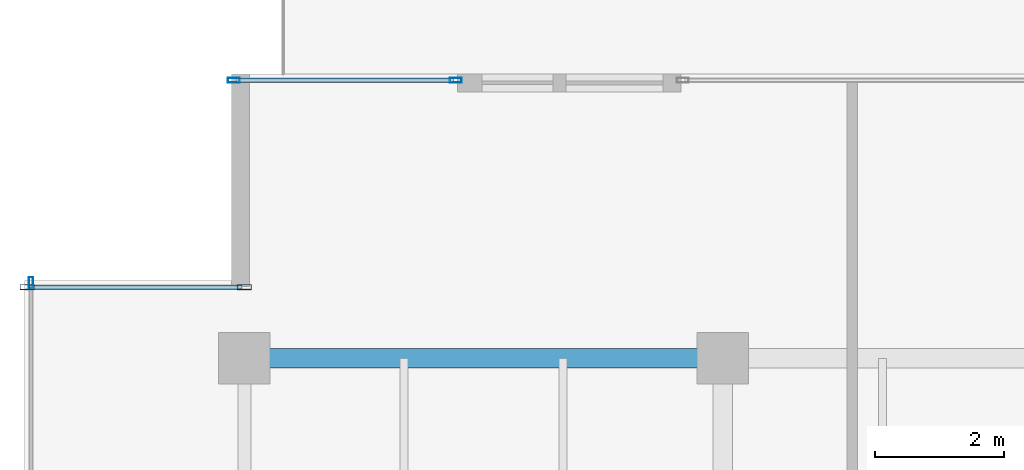
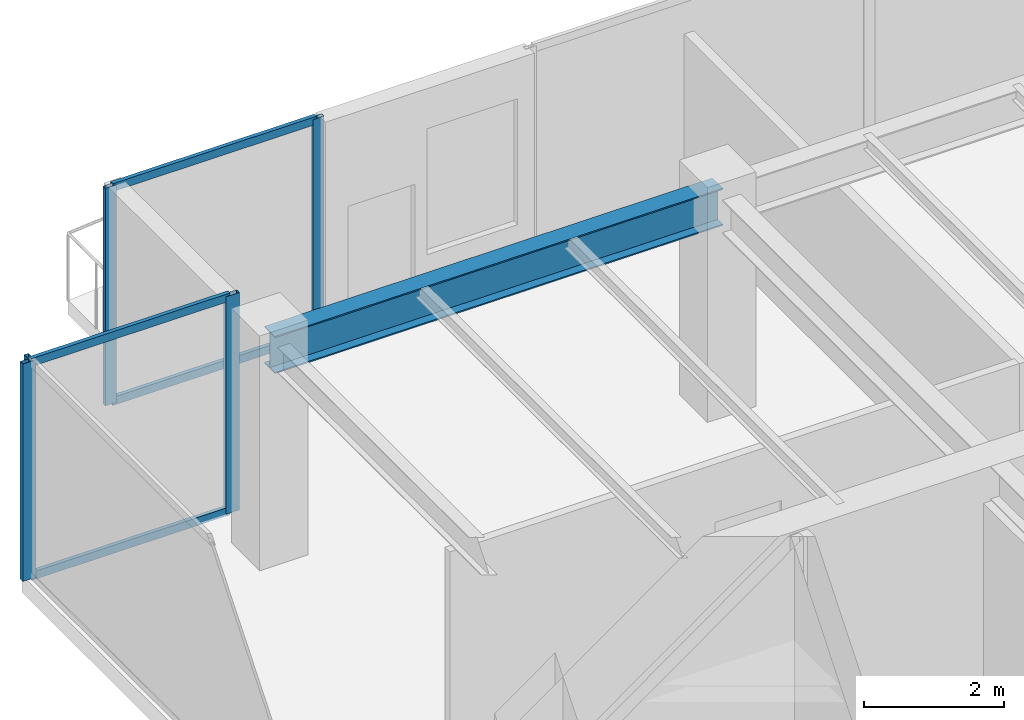
# One storey, part 14 of 34: 9 members, 1 beam, 3 elements without a shape of their own.
"""IFC4 building model written with IfcOpenShell, lengths in metres."""

from ifc_helpers import new_model, si_unit, direction, frame, origin, origin_2d, place, context, subcontext, project, spatial, hollow_rectangle, i_section, extrude, source, transform, mapped, material, layer, layer_set, material_profile, profile_set, type_object, type_shapes, element, aggregate, save


model = new_model("IFC4")

# Units and contexts
model_context = context("Model", 3, precision=1e-05, world=origin(), true_north=direction((0.0, 1.0)))
body_context = subcontext(model_context, "Body", "Model", "MODEL_VIEW")
ifc_project = project(units=[si_unit("LENGTHUNIT", "METRE"), si_unit("AREAUNIT", "SQUARE_METRE"), si_unit("VOLUMEUNIT", "CUBIC_METRE"), si_unit("PLANEANGLEUNIT", "RADIAN"), si_unit("MASSUNIT", "GRAM", prefix="KILO")], contexts=[model_context])

# Site, building, storey
site_placement = place(None, origin())
site = spatial("IfcSite", under=ifc_project, at=site_placement, CompositionType="ELEMENT")
building_placement = place(site_placement, origin())
building = spatial("IfcBuilding", under=site, at=building_placement, Name="Haelvirn Gate Laboratories", CompositionType="ELEMENT")
storey_placement = place(building_placement, frame((0.0, 0.0, 246.5)))
storey = spatial("IfcBuildingStorey", under=building, at=storey_placement, Name="L59", CompositionType="ELEMENT", Elevation=246.5)

# Beam
ifc_material_1 = material(Name="Steel SM355", Category="steel")
ifc_material_profile_1 = material_profile(ifc_material_1, i_section(OverallWidth=0.300048828125, OverallDepth=0.64990234375, WebThickness=0.012939453125, FlangeThickness=0.02197265625, at=origin_2d()), Name="H-650x300x13x22")
ifc_profile_set_1 = profile_set([ifc_material_profile_1], Name="Steel SM355")
beam_type = type_object("IfcBeamType", Name="BM-G-650", PredefinedType="BEAM", material=ifc_profile_set_1)
shared_shape_1 = source(origin(), body_context, "Body", "SweptSolid", [
    extrude(i_section(OverallWidth=0.300048828125, OverallDepth=0.64990234375, WebThickness=0.012939453125, FlangeThickness=0.02197265625, at=origin_2d()), origin(), (0.0, 0.0, 1.0), 7.400146484375),
])
type_shapes(beam_type, [shared_shape_1])
beam_placement = place(storey_placement, frame((7.39990234375, 41.60009765625, 3.47509765625), z_axis=(1.0, 0.0, 0.0), x_axis=(0.0, 1.0, 0.0)))
element("IfcBeam", 1, at=beam_placement, inside=storey, type_object=beam_type, Name="L59 Primary Girder Y41.6 (7.4-14.8)", PredefinedType="BEAM", context=body_context, shape_type="MappedRepresentation", body=[
    mapped(shared_shape_1, transform((0.0, 0.0, 0.0), scale=1.0)),
])

# Curtain wall, members
ifc_material_2 = material(Name="Anodised bronze unitised aluminium & triple low-E glass", Category="aluminium")
ifc_layer_1 = layer(ifc_material_2, 0.181884765625, Name="CW-SYS-5")
ifc_layer_set_1 = layer_set([ifc_layer_1], Name="Anodised bronze unitised aluminium & triple low-E glass")
curtain_wall_type_1 = type_object("IfcCurtainWallType", Name="CW-SYS-5", PredefinedType="NOTDEFINED", material=ifc_layer_set_1)
curtain_wall_1_placement = place(storey_placement, origin())
curtain_wall_1 = element("IfcCurtainWall", 2, at=curtain_wall_1_placement, inside=storey, type_object=curtain_wall_type_1, Name="L59 Unitised Curtain Wall CW-L59-P0-E16-1", PredefinedType="NOTDEFINED")
ifc_material_3 = material(Name="Extruded aluminium 6063-T6 (anodised bronze)", Category="aluminium")
ifc_material_profile_2 = material_profile(ifc_material_3, hollow_rectangle(XDim=0.06494140625, YDim=0.139892578125, WallThickness=0.00390625, at=origin_2d()), Name="CWT-140x65x4")
ifc_profile_set_2 = profile_set([ifc_material_profile_2], Name="Extruded aluminium 6063-T6 (anodised bronze)")
member_type_1 = type_object("IfcMemberType", Name="CWT-T140", PredefinedType="USERDEFINED", material=ifc_profile_set_2)
shared_shape_2 = source(origin(), body_context, "Body", "SweptSolid", [
    extrude(hollow_rectangle(XDim=0.06494140625, YDim=0.139892578125, WallThickness=0.00390625, at=origin_2d()), origin(), (0.0, 0.0, 1.0), 3.280029296875),
])
member_1_placement = place(storey_placement, frame((4.080078125, 42.699951171875, 0.032470703125), z_axis=(1.0, 0.0, 0.0), x_axis=(0.0, 1.0, 0.0)))
member_1 = element("IfcMember", 3, at=member_1_placement, type_object=member_type_1, Name="CW5 transom 1.1", ObjectType="TRANSOM", PredefinedType="USERDEFINED", context=body_context, shape_type="MappedRepresentation", body=[
    mapped(shared_shape_2, transform((0.0, 0.0, 0.0), scale=1.0)),
])
member_2_placement = place(storey_placement, frame((4.080078125, 42.699951171875, 3.767578125), z_axis=(1.0, 0.0, 0.0), x_axis=(0.0, 1.0, 0.0)))
member_2 = element("IfcMember", 4, at=member_2_placement, type_object=member_type_1, Name="CW5 transom 1.2", ObjectType="TRANSOM", PredefinedType="USERDEFINED", context=body_context, shape_type="MappedRepresentation", body=[
    mapped(shared_shape_2, transform((0.0, 0.0, 0.0), scale=1.0)),
])

ifc_layer_2 = layer(ifc_material_2, 0.176025390625, Name="CW-SYS-4")
ifc_layer_set_2 = layer_set([ifc_layer_2], Name="Anodised bronze unitised aluminium & triple low-E glass")
curtain_wall_type_2 = type_object("IfcCurtainWallType", Name="CW-SYS-4", PredefinedType="NOTDEFINED", material=ifc_layer_set_2)
curtain_wall_2_placement = place(storey_placement, origin())
curtain_wall_2 = element("IfcCurtainWall", 5, at=curtain_wall_2_placement, inside=storey, type_object=curtain_wall_type_2, Name="L59 Unitised Curtain Wall CW-L59-P0-E14-1", PredefinedType="NOTDEFINED")
ifc_material_profile_3 = material_profile(ifc_material_3, hollow_rectangle(XDim=0.070068359375, YDim=0.179931640625, WallThickness=0.0048828125, at=origin_2d()), Name="CWM-180x70x5")
ifc_profile_set_3 = profile_set([ifc_material_profile_3], Name="Extruded aluminium 6063-T6 (anodised bronze)")
member_type_2 = type_object("IfcMemberType", Name="CWM-T180", PredefinedType="MULLION", material=ifc_profile_set_3)
shared_shape_3 = source(origin(), body_context, "Body", "SweptSolid", [
    extrude(hollow_rectangle(XDim=0.070068359375, YDim=0.179931640625, WallThickness=0.0048828125, at=origin_2d()), origin(), (0.0, 0.0, 1.0), 3.800048828125),
])
type_shapes(member_type_2, [shared_shape_3])
member_3_placement = place(storey_placement, frame((7.235107421875, 45.89990234375, 0.0), z_axis=(0.0, 0.0, 1.0), x_axis=(0.0, 1.0, 0.0)))
member_3 = element("IfcMember", 6, at=member_3_placement, type_object=member_type_2, Name="CW4 mullion 1", PredefinedType="MULLION", context=body_context, shape_type="MappedRepresentation", body=[
    mapped(shared_shape_3, transform((0.0, 0.0, 0.0), scale=1.0)),
])
member_4_placement = place(storey_placement, frame((10.669921875, 45.89990234375, 0.0), z_axis=(0.0, 0.0, 1.0), x_axis=(0.0, 1.0, 0.0)))
member_4 = element("IfcMember", 7, at=member_4_placement, type_object=member_type_2, Name="CW4 mullion 2", PredefinedType="MULLION", context=body_context, shape_type="MappedRepresentation", body=[
    mapped(shared_shape_3, transform((0.0, 0.0, 0.0), scale=1.0)),
])

# Curtain wall, member
curtain_wall_3_placement = place(storey_placement, origin())
curtain_wall_3 = element("IfcCurtainWall", 8, at=curtain_wall_3_placement, inside=storey, type_object=curtain_wall_type_2, Name="L59 Unitised Curtain Wall CW-L59-P0-E17", PredefinedType="NOTDEFINED")
member_5_placement = place(storey_placement, frame((4.10009765625, 42.764892578125, 0.0), z_axis=(0.0, 0.0, 1.0), x_axis=(1.0, 0.0, 0.0)))
member_5 = element("IfcMember", 9, at=member_5_placement, type_object=member_type_2, Name="CW4 mullion 1", PredefinedType="MULLION", context=body_context, shape_type="MappedRepresentation", body=[
    mapped(shared_shape_3, transform((0.0, 0.0, 0.0), scale=1.0)),
])
aggregate(curtain_wall_3, [member_5])

# Member
ifc_material_profile_4 = material_profile(ifc_material_3, hollow_rectangle(XDim=0.080078125, YDim=0.219970703125, WallThickness=0.006103515625, at=origin_2d()), Name="CWM-220x80x6")
ifc_profile_set_4 = profile_set([ifc_material_profile_4], Name="Extruded aluminium 6063-T6 (anodised bronze)")
member_type_3 = type_object("IfcMemberType", Name="CWM-T220", PredefinedType="MULLION", material=ifc_profile_set_4)
shared_shape_4 = source(origin(), body_context, "Body", "SweptSolid", [
    extrude(hollow_rectangle(XDim=0.080078125, YDim=0.219970703125, WallThickness=0.006103515625, at=origin_2d()), origin(), (0.0, 0.0, 1.0), 3.800048828125),
])
type_shapes(member_type_3, [shared_shape_4])
member_6_placement = place(storey_placement, frame((4.0400390625, 42.699951171875, 0.0), z_axis=(0.0, 0.0, 1.0), x_axis=(0.0, 1.0, 0.0)))
member_6 = element("IfcMember", 10, at=member_6_placement, type_object=member_type_3, Name="CW5 mullion 1", PredefinedType="MULLION", context=body_context, shape_type="MappedRepresentation", body=[
    mapped(shared_shape_4, transform((0.0, 0.0, 0.0), scale=1.0)),
])

member_7_placement = place(storey_placement, frame((7.39990234375, 42.699951171875, 0.0), z_axis=(0.0, 0.0, 1.0), x_axis=(0.0, 1.0, 0.0)))
member_7 = element("IfcMember", 11, at=member_7_placement, type_object=member_type_3, Name="CW5 mullion 2", PredefinedType="MULLION", context=body_context, shape_type="MappedRepresentation", body=[
    mapped(shared_shape_4, transform((0.0, 0.0, 0.0), scale=1.0)),
])

aggregate(curtain_wall_1, [member_6, member_7, member_1, member_2])

shared_shape_5 = source(origin(), body_context, "Body", "SweptSolid", [
    extrude(hollow_rectangle(XDim=0.06494140625, YDim=0.139892578125, WallThickness=0.00390625, at=origin_2d()), origin(), (0.0, 0.0, 1.0), 3.364990234375),
])
type_shapes(member_type_1, [shared_shape_2, shared_shape_5])
member_8_placement = place(storey_placement, frame((7.27001953125, 45.89990234375, 0.032470703125), z_axis=(1.0, 0.0, 0.0), x_axis=(0.0, 1.0, 0.0)))
member_8 = element("IfcMember", 12, at=member_8_placement, type_object=member_type_1, Name="CW4 transom 1.1", ObjectType="TRANSOM", PredefinedType="USERDEFINED", context=body_context, shape_type="MappedRepresentation", body=[
    mapped(shared_shape_5, transform((0.0, 0.0, 0.0), scale=1.0)),
])

member_9_placement = place(storey_placement, frame((7.27001953125, 45.89990234375, 3.767578125), z_axis=(1.0, 0.0, 0.0), x_axis=(0.0, 1.0, 0.0)))
member_9 = element("IfcMember", 13, at=member_9_placement, type_object=member_type_1, Name="CW4 transom 1.2", ObjectType="TRANSOM", PredefinedType="USERDEFINED", context=body_context, shape_type="MappedRepresentation", body=[
    mapped(shared_shape_5, transform((0.0, 0.0, 0.0), scale=1.0)),
])

aggregate(curtain_wall_2, [member_3, member_4, member_8, member_9])

save(model, "model.ifc")
